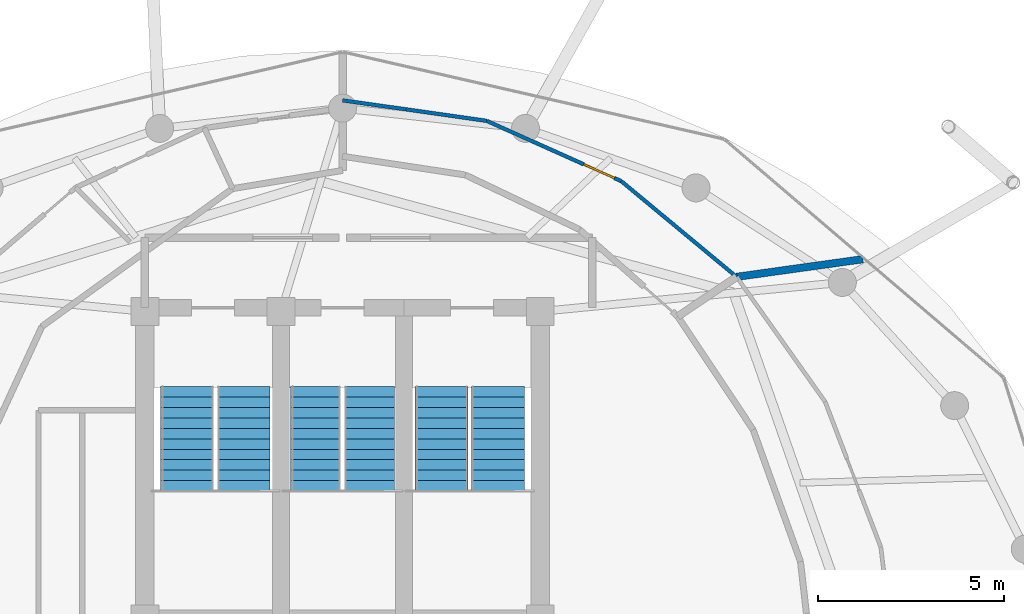
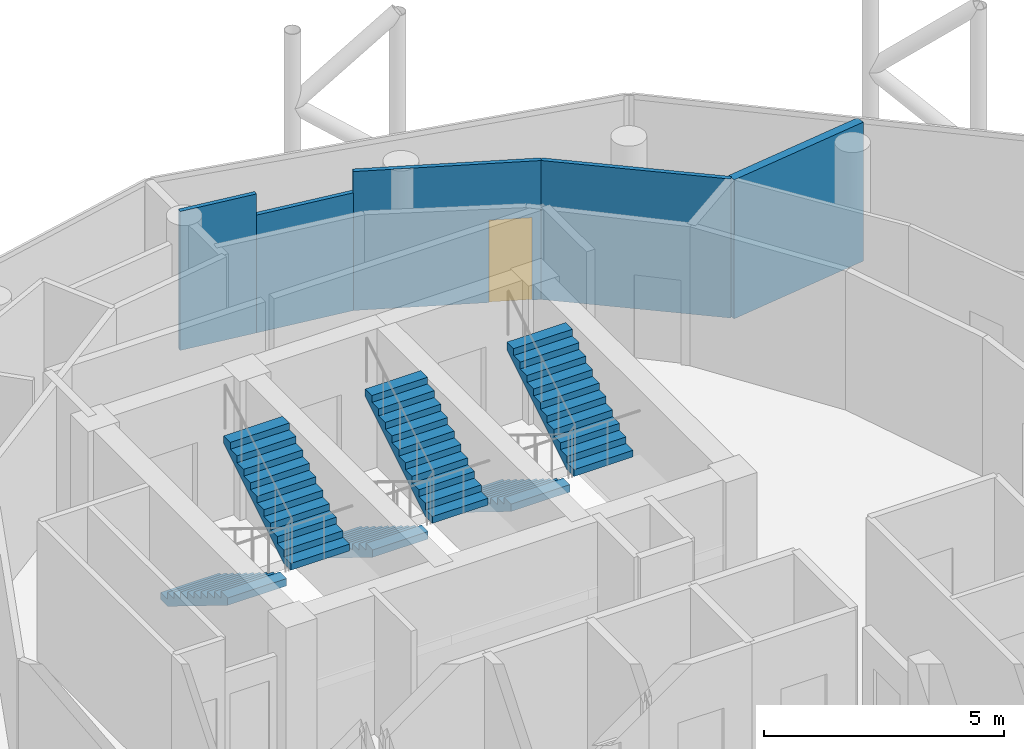
# One storey, part 23 of 24: 6 stair flights, 5 walls, 1 door, 1 opening, 3 elements without a shape of their own.
"""IFC4 building model written with IfcOpenShell, lengths in metres."""

from ifc_helpers import new_model, si_unit, direction, frame, frame_2d, origin, place, context, subcontext, project, spatial, polyline, rectangle, outline, extrude, material, layer, layer_set, type_object, element, fill, aggregate, save


model = new_model("IFC4")

# Units and contexts
model_context = context("Model", 3, precision=1e-05, world=origin(), true_north=direction((0.0, 1.0)))
body_context = subcontext(model_context, "Body", "Model", "MODEL_VIEW")
ifc_project = project(units=[si_unit("LENGTHUNIT", "METRE"), si_unit("AREAUNIT", "SQUARE_METRE"), si_unit("VOLUMEUNIT", "CUBIC_METRE"), si_unit("PLANEANGLEUNIT", "RADIAN"), si_unit("MASSUNIT", "GRAM", prefix="KILO")], contexts=[model_context])

# Site, building, storey
site_placement = place(None, origin())
site = spatial("IfcSite", under=ifc_project, at=site_placement, CompositionType="ELEMENT")
building_placement = place(site_placement, origin())
building = spatial("IfcBuilding", under=site, at=building_placement, Name="Nuhasar Tower", CompositionType="ELEMENT")
storey_placement = place(building_placement, frame((0.0, 0.0, 270.800048828125)))
storey = spatial("IfcBuildingStorey", under=building, at=storey_placement, Name="L67", CompositionType="ELEMENT", Elevation=270.800048828125)

# Wall
ifc_material_1 = material(Name="Aluminium 6063-T6", Category="aluminium")
ifc_layer_1 = layer(ifc_material_1, 0.10009765625)
ifc_layer_set_1 = layer_set([ifc_layer_1], Name="Aluminium 6063-T6")
wall_type_1 = type_object("IfcWallType", Name="WL-MOVABLE-100", PredefinedType="MOVABLE", material=ifc_layer_set_1)
wall_1_placement = place(storey_placement, frame((49.56396484375, 38.22705078125, 0.0), z_axis=(0.0, 0.0, 1.0), x_axis=(-0.769498838344, 0.638648211292, 0.0)))
element("IfcWall", 1, at=wall_1_placement, inside=storey, type_object=wall_type_1, Name="L67 Interior Partition UMID5-04-06", PredefinedType="MOVABLE", context=body_context, shape_type="SweptSolid", body=[
    extrude(rectangle(XDim=4.020751953125, YDim=0.10009765625, at=frame_2d((2.01025390625, 0.0))), origin(), (0.0, 0.0, 1.0), 3.5400390625),
])

# Wall, opening, door
wall_2_placement = place(storey_placement, frame((46.469970703125, 40.794921875, 0.0), z_axis=(0.0, 0.0, 1.0), x_axis=(-0.912616745569, 0.408816188166, 0.0)))
wall_2 = element("IfcWall", 2, at=wall_2_placement, inside=storey, type_object=wall_type_1, Name="L67 Interior Partition UMID5-04-08", PredefinedType="MOVABLE", context=body_context, shape_type="SweptSolid", body=[
    extrude(rectangle(XDim=3.947998046875, YDim=0.10009765625, at=frame_2d((1.97412109375, 0.0))), origin(), (0.0, 0.0, 1.0), 3.5400390625),
])
opening_placement = place(wall_2_placement, frame((0.199951171875, 0.0, 0.0)))
opening = element("IfcOpeningElement", 3, at=opening_placement, cuts=wall_2, Name="Opening DR-01", PredefinedType="OPENING", context=body_context, shape_type="SweptSolid", body=[
    extrude(rectangle(XDim=0.89990234375, YDim=2.10009765625, at=frame_2d((0.449951171875, 1.050048828125))), frame((0.0, 0.06005859375, 0.0), z_axis=(0.0, -1.0, 0.0), x_axis=(1.0, 0.0, 0.0)), (0.0, 0.0, 1.0), 0.1201171875),
])
ifc_material_2 = material(Name="Timber Oak", Category="wood")
door_type = type_object("IfcDoorType", Name="DR-ROOM-900", OperationType="NOTDEFINED", PredefinedType="DOOR", material=ifc_material_2)
door_placement = place(opening_placement, origin())
door = element("IfcDoor", 4, at=door_placement, inside=storey, type_object=door_type, Name="L67 Diplomatic Briefing Room Inner Door", OperationType="SINGLE_SWING_LEFT", OverallHeight=2.10009765625, OverallWidth=0.89990234375, PredefinedType="DOOR", context=body_context, shape_type="SweptSolid", body=[
    extrude(rectangle(XDim=0.89990234375, YDim=2.10009765625, at=frame_2d((0.449951171875, 1.050048828125))), frame((0.0, 0.02490234375, 0.0), z_axis=(0.0, -1.0, 0.0), x_axis=(1.0, 0.0, 0.0)), (0.0, 0.0, 1.0), 0.050048828125),
])
fill(opening, door)

# Walls
wall_3_placement = place(storey_placement, frame((42.866943359375, 42.408935546875, 0.0), z_axis=(0.0, 0.0, 1.0), x_axis=(-0.989971798103, 0.141265137105, 0.0)))
element("IfcWall", 5, at=wall_3_placement, inside=storey, type_object=wall_type_1, Name="L67 Interior Partition UMID5-04-10", PredefinedType="MOVABLE", context=body_context, shape_type="SweptSolid", body=[
    extrude(rectangle(XDim=2.18798828125, YDim=0.10009765625, at=frame_2d((1.093994140625, 0.0))), origin(), (0.0, 0.0, 1.0), 3.0),
])
wall_4_placement = place(storey_placement, frame((40.700927734375, 42.718017578125, 0.0), z_axis=(0.0, 0.0, 1.0), x_axis=(-0.990034575803, 0.140824496142, 0.0)))
element("IfcWall", 6, at=wall_4_placement, inside=storey, type_object=wall_type_1, Name="L67 Interior Partition UMID5-04-10", PredefinedType="MOVABLE", context=body_context, shape_type="SweptSolid", body=[
    extrude(rectangle(XDim=1.718017578125, YDim=0.10009765625, at=frame_2d((0.85888671875, 0.0))), origin(), (0.0, 0.0, 1.0), 3.5400390625),
])
ifc_material_3 = material(Name="Concrete C40/50 precast", Category="concrete")
ifc_layer_2 = layer(ifc_material_3, 0.199951171875)
ifc_layer_set_2 = layer_set([ifc_layer_2], Name="Concrete C40/50 precast")
wall_type_2 = type_object("IfcWallType", Name="WL-UNIT-200", PredefinedType="PARTITIONING", material=ifc_layer_set_2)
wall_5_placement = place(storey_placement, frame((49.56396484375, 38.22705078125, 0.0), z_axis=(0.0, 0.0, 1.0), x_axis=(0.990353701526, 0.138562425911, 0.0)))
element("IfcWall", 7, at=wall_5_placement, inside=storey, type_object=wall_type_2, Name="L67 Interior Partition URAD5-06-S2", PredefinedType="PARTITIONING", context=body_context, shape_type="SweptSolid", body=[
    extrude(rectangle(XDim=3.419921875, YDim=0.199951171875, at=frame_2d((1.7099609375, 0.0))), origin(), (0.0, 0.0, 1.0), 3.5400390625),
])

# Stair, stair flights
ifc_material_4 = material(Name="Concrete C45/55", Category="concrete")
stair_type_1 = type_object("IfcStairType", Name="STR-ST-01-2F-22R-1727", PredefinedType="HALF_TURN_STAIR", material=ifc_material_4)
stair_1_placement = place(storey_placement, origin())
stair_1 = element("IfcStair", 8, at=stair_1_placement, inside=storey, type_object=stair_type_1, Name="L67 Exit Stair ST-01", PredefinedType="HALF_TURN_STAIR")
stair_flight_type_1 = type_object("IfcStairFlightType", Name="SFL-ST-01-11R-1727", PredefinedType="STRAIGHT", material=ifc_material_4)
stair_flight_1_placement = place(storey_placement, frame((34.830078125, 35.284912109375, 0.0), z_axis=(0.0, 0.0, 1.0), x_axis=(0.0, -1.0, 0.0)))
stair_flight_1 = element("IfcStairFlight", 9, at=stair_flight_1_placement, type_object=stair_flight_type_1, Name="ST-01 flight 1", NumberOfRisers=11, NumberOfTreads=10, PredefinedType="STRAIGHT", RiserHeight=0.172727, TreadLength=0.28, context=body_context, shape_type="SweptSolid", body=[
    extrude(outline(polyline([(0.0, 0.0), (0.0, 0.172607421875), (0.280029296875, 0.172607421875), (0.280029296875, 0.345458984375), (0.56005859375, 0.345458984375), (0.56005859375, 0.51806640625), (0.840087890625, 0.51806640625), (0.840087890625, 0.69091796875), (1.1201171875, 0.69091796875), (1.1201171875, 0.863525390625), (1.39990234375, 0.863525390625), (1.39990234375, 1.036376953125), (1.679931640625, 1.036376953125), (1.679931640625, 1.208984375), (1.9599609375, 1.208984375), (1.9599609375, 1.3818359375), (2.239990234375, 1.3818359375), (2.239990234375, 1.554443359375), (2.52001953125, 1.554443359375), (2.52001953125, 1.727294921875), (2.800048828125, 1.727294921875), (2.800048828125, 1.89990234375), (2.800048828125, 1.539306640625), (0.3046875, 0.0), (0.0, 0.0)])), frame((0.0, 0.7099609375, 0.0), z_axis=(0.0, -1.0, 0.0), x_axis=(1.0, 0.0, 0.0)), (0.0, 0.0, 1.0), 1.419921875),
])
stair_flight_2_placement = place(storey_placement, frame((36.35009765625, 32.485107421875, 1.89990234375), z_axis=(0.0, 0.0, 1.0), x_axis=(0.0, 1.0, 0.0)))
stair_flight_2 = element("IfcStairFlight", 10, at=stair_flight_2_placement, type_object=stair_flight_type_1, Name="ST-01 flight 2", NumberOfRisers=11, NumberOfTreads=10, PredefinedType="STRAIGHT", RiserHeight=0.172727, TreadLength=0.28, context=body_context, shape_type="SweptSolid", body=[
    extrude(outline(polyline([(0.0, 0.0), (0.0, 0.172607421875), (0.280029296875, 0.172607421875), (0.280029296875, 0.345458984375), (0.56005859375, 0.345458984375), (0.56005859375, 0.51806640625), (0.840087890625, 0.51806640625), (0.840087890625, 0.69091796875), (1.1201171875, 0.69091796875), (1.1201171875, 0.863525390625), (1.39990234375, 0.863525390625), (1.39990234375, 1.036376953125), (1.679931640625, 1.036376953125), (1.679931640625, 1.208984375), (1.9599609375, 1.208984375), (1.9599609375, 1.3818359375), (2.239990234375, 1.3818359375), (2.239990234375, 1.554443359375), (2.52001953125, 1.554443359375), (2.52001953125, 1.727294921875), (2.800048828125, 1.727294921875), (2.800048828125, 1.89990234375), (2.800048828125, 1.539306640625), (0.3046875, 0.0), (0.0, 0.0)])), frame((0.0, 0.7099609375, 0.0), z_axis=(0.0, -1.0, 0.0), x_axis=(1.0, 0.0, 0.0)), (0.0, 0.0, 1.0), 1.419921875),
])
aggregate(stair_1, [stair_flight_1, stair_flight_2])

stair_type_2 = type_object("IfcStairType", Name="STR-ST-02-2F-22R-1727", PredefinedType="HALF_TURN_STAIR", material=ifc_material_4)
stair_2_placement = place(storey_placement, origin())
stair_2 = element("IfcStair", 11, at=stair_2_placement, inside=storey, type_object=stair_type_2, Name="L67 Exit Stair ST-02", PredefinedType="HALF_TURN_STAIR")
stair_flight_type_2 = type_object("IfcStairFlightType", Name="SFL-ST-02-11R-1727", PredefinedType="STRAIGHT", material=ifc_material_4)
stair_flight_3_placement = place(storey_placement, frame((41.64990234375, 35.284912109375, 0.0), z_axis=(0.0, 0.0, 1.0), x_axis=(0.0, -1.0, 0.0)))
stair_flight_3 = element("IfcStairFlight", 12, at=stair_flight_3_placement, type_object=stair_flight_type_2, Name="ST-02 flight 1", NumberOfRisers=11, NumberOfTreads=10, PredefinedType="STRAIGHT", RiserHeight=0.172727, TreadLength=0.28, context=body_context, shape_type="SweptSolid", body=[
    extrude(outline(polyline([(0.0, 0.0), (0.0, 0.172607421875), (0.280029296875, 0.172607421875), (0.280029296875, 0.345458984375), (0.56005859375, 0.345458984375), (0.56005859375, 0.51806640625), (0.840087890625, 0.51806640625), (0.840087890625, 0.69091796875), (1.1201171875, 0.69091796875), (1.1201171875, 0.863525390625), (1.39990234375, 0.863525390625), (1.39990234375, 1.036376953125), (1.679931640625, 1.036376953125), (1.679931640625, 1.208984375), (1.9599609375, 1.208984375), (1.9599609375, 1.3818359375), (2.239990234375, 1.3818359375), (2.239990234375, 1.554443359375), (2.52001953125, 1.554443359375), (2.52001953125, 1.727294921875), (2.800048828125, 1.727294921875), (2.800048828125, 1.89990234375), (2.800048828125, 1.539306640625), (0.3046875, 0.0), (0.0, 0.0)])), frame((0.0, 0.7099609375, 0.0), z_axis=(0.0, -1.0, 0.0), x_axis=(1.0, 0.0, 0.0)), (0.0, 0.0, 1.0), 1.419921875),
])
stair_flight_4_placement = place(storey_placement, frame((43.169921875, 32.485107421875, 1.89990234375), z_axis=(0.0, 0.0, 1.0), x_axis=(0.0, 1.0, 0.0)))
stair_flight_4 = element("IfcStairFlight", 13, at=stair_flight_4_placement, type_object=stair_flight_type_2, Name="ST-02 flight 2", NumberOfRisers=11, NumberOfTreads=10, PredefinedType="STRAIGHT", RiserHeight=0.172727, TreadLength=0.28, context=body_context, shape_type="SweptSolid", body=[
    extrude(outline(polyline([(0.0, 0.0), (0.0, 0.172607421875), (0.280029296875, 0.172607421875), (0.280029296875, 0.345458984375), (0.56005859375, 0.345458984375), (0.56005859375, 0.51806640625), (0.840087890625, 0.51806640625), (0.840087890625, 0.69091796875), (1.1201171875, 0.69091796875), (1.1201171875, 0.863525390625), (1.39990234375, 0.863525390625), (1.39990234375, 1.036376953125), (1.679931640625, 1.036376953125), (1.679931640625, 1.208984375), (1.9599609375, 1.208984375), (1.9599609375, 1.3818359375), (2.239990234375, 1.3818359375), (2.239990234375, 1.554443359375), (2.52001953125, 1.554443359375), (2.52001953125, 1.727294921875), (2.800048828125, 1.727294921875), (2.800048828125, 1.89990234375), (2.800048828125, 1.539306640625), (0.3046875, 0.0), (0.0, 0.0)])), frame((0.0, 0.7099609375, 0.0), z_axis=(0.0, -1.0, 0.0), x_axis=(1.0, 0.0, 0.0)), (0.0, 0.0, 1.0), 1.419921875),
])
aggregate(stair_2, [stair_flight_3, stair_flight_4])

stair_type_3 = type_object("IfcStairType", Name="STR-ST-03-2F-22R-1727", PredefinedType="HALF_TURN_STAIR", material=ifc_material_4)
stair_3_placement = place(storey_placement, origin())
stair_3 = element("IfcStair", 14, at=stair_3_placement, inside=storey, type_object=stair_type_3, Name="L67 Exit Stair ST-03", PredefinedType="HALF_TURN_STAIR")
stair_flight_type_3 = type_object("IfcStairFlightType", Name="SFL-ST-03-11R-1727", PredefinedType="STRAIGHT", material=ifc_material_4)
stair_flight_5_placement = place(storey_placement, frame((38.280029296875, 35.284912109375, 0.0), z_axis=(0.0, 0.0, 1.0), x_axis=(0.0, -1.0, 0.0)))
stair_flight_5 = element("IfcStairFlight", 15, at=stair_flight_5_placement, type_object=stair_flight_type_3, Name="ST-03 flight 1", NumberOfRisers=11, NumberOfTreads=10, PredefinedType="STRAIGHT", RiserHeight=0.172727, TreadLength=0.28, context=body_context, shape_type="SweptSolid", body=[
    extrude(outline(polyline([(0.0, 0.0), (0.0, 0.172607421875), (0.280029296875, 0.172607421875), (0.280029296875, 0.345458984375), (0.56005859375, 0.345458984375), (0.56005859375, 0.51806640625), (0.840087890625, 0.51806640625), (0.840087890625, 0.69091796875), (1.1201171875, 0.69091796875), (1.1201171875, 0.863525390625), (1.39990234375, 0.863525390625), (1.39990234375, 1.036376953125), (1.679931640625, 1.036376953125), (1.679931640625, 1.208984375), (1.9599609375, 1.208984375), (1.9599609375, 1.3818359375), (2.239990234375, 1.3818359375), (2.239990234375, 1.554443359375), (2.52001953125, 1.554443359375), (2.52001953125, 1.727294921875), (2.800048828125, 1.727294921875), (2.800048828125, 1.89990234375), (2.800048828125, 1.539306640625), (0.3046875, 0.0), (0.0, 0.0)])), frame((0.0, 0.669921875, 0.0), z_axis=(0.0, -1.0, 0.0), x_axis=(1.0, 0.0, 0.0)), (0.0, 0.0, 1.0), 1.340087890625),
])
stair_flight_6_placement = place(storey_placement, frame((39.719970703125, 32.485107421875, 1.89990234375), z_axis=(0.0, 0.0, 1.0), x_axis=(0.0, 1.0, 0.0)))
stair_flight_6 = element("IfcStairFlight", 16, at=stair_flight_6_placement, type_object=stair_flight_type_3, Name="ST-03 flight 2", NumberOfRisers=11, NumberOfTreads=10, PredefinedType="STRAIGHT", RiserHeight=0.172727, TreadLength=0.28, context=body_context, shape_type="SweptSolid", body=[
    extrude(outline(polyline([(0.0, 0.0), (0.0, 0.172607421875), (0.280029296875, 0.172607421875), (0.280029296875, 0.345458984375), (0.56005859375, 0.345458984375), (0.56005859375, 0.51806640625), (0.840087890625, 0.51806640625), (0.840087890625, 0.69091796875), (1.1201171875, 0.69091796875), (1.1201171875, 0.863525390625), (1.39990234375, 0.863525390625), (1.39990234375, 1.036376953125), (1.679931640625, 1.036376953125), (1.679931640625, 1.208984375), (1.9599609375, 1.208984375), (1.9599609375, 1.3818359375), (2.239990234375, 1.3818359375), (2.239990234375, 1.554443359375), (2.52001953125, 1.554443359375), (2.52001953125, 1.727294921875), (2.800048828125, 1.727294921875), (2.800048828125, 1.89990234375), (2.800048828125, 1.539306640625), (0.3046875, 0.0), (0.0, 0.0)])), frame((0.0, 0.669921875, 0.0), z_axis=(0.0, -1.0, 0.0), x_axis=(1.0, 0.0, 0.0)), (0.0, 0.0, 1.0), 1.340087890625),
])
aggregate(stair_3, [stair_flight_5, stair_flight_6])

save(model, "model.ifc")
